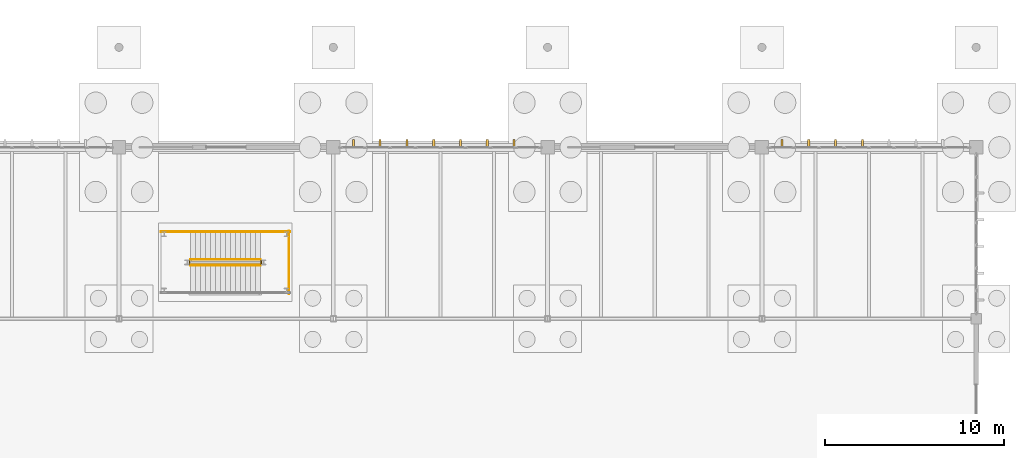
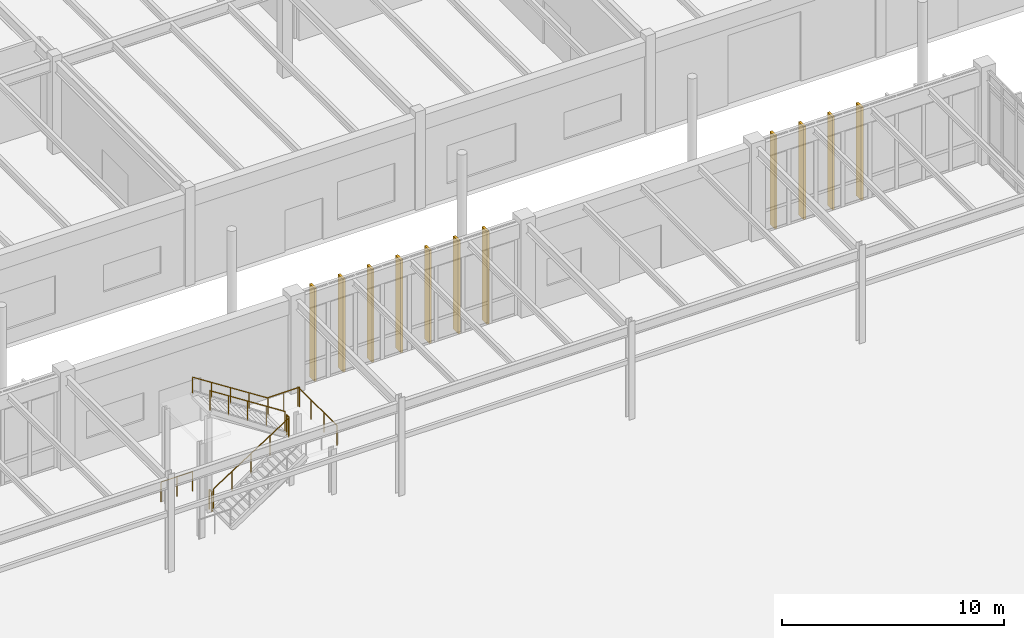
# One storey, part 178 of 188: 11 shading devices, 8 railings.
"""IFC4 building model written with IfcOpenShell, lengths in metres."""

from ifc_helpers import new_model, si_unit, direction, frame, origin, origin_2d, place, context, subcontext, project, spatial, rectangle, circle, extrude, material, type_object, element, save


model = new_model("IFC4")

# Units and contexts
model_context = context("Model", 3, precision=1e-05, world=origin(), true_north=direction((0.0, 1.0)))
body_context = subcontext(model_context, "Body", "Model", "MODEL_VIEW")
ifc_project = project(units=[si_unit("LENGTHUNIT", "METRE"), si_unit("AREAUNIT", "SQUARE_METRE"), si_unit("VOLUMEUNIT", "CUBIC_METRE"), si_unit("PLANEANGLEUNIT", "RADIAN"), si_unit("MASSUNIT", "GRAM", prefix="KILO")], contexts=[model_context])

# Site, building, storey
site_placement = place(None, origin())
site = spatial("IfcSite", under=ifc_project, at=site_placement, CompositionType="ELEMENT")
building_placement = place(site_placement, origin())
building = spatial("IfcBuilding", under=site, at=building_placement, Name="Pandanus Reach Market Hall", CompositionType="ELEMENT")
storey_placement = place(building_placement, origin())
storey = spatial("IfcBuildingStorey", under=building, at=storey_placement, Name="L00", CompositionType="ELEMENT", Elevation=0.0)

# Shading devices
ifc_material_1 = material(Name="Precast concrete S50 (50 MPa)", Category="concrete")
shading_device_type = type_object("IfcShadingDeviceType", Name="FN-S50-450", PredefinedType="JALOUSIE", material=ifc_material_1)
for number, where, z_axis, x_axis, name in (
    (1, (97.125, 86.6201171875, -0.010009765625), (0.0, 0.0, 1.0), (0.0, 1.0, 0.0), "Precast brise-soleil fin 36"),
    (2, (98.625, 86.6201171875, -0.010009765625), (0.0, 0.0, 1.0), (0.0, 1.0, 0.0), "Precast brise-soleil fin 37"),
    (3, (100.125, 86.6201171875, -0.010009765625), (0.0, 0.0, 1.0), (0.0, 1.0, 0.0), "Precast brise-soleil fin 38"),
    (4, (101.625, 86.6201171875, -0.010009765625), (0.0, 0.0, 1.0), (0.0, 1.0, 0.0), "Precast brise-soleil fin 39"),
    (5, (103.125, 86.6201171875, -0.010009765625), (0.0, 0.0, 1.0), (0.0, 1.0, 0.0), "Precast brise-soleil fin 40"),
    (6, (104.625, 86.6201171875, -0.010009765625), (0.0, 0.0, 1.0), (0.0, 1.0, 0.0), "Precast brise-soleil fin 41"),
    (7, (106.125, 86.6201171875, -0.010009765625), (0.0, 0.0, 1.0), (0.0, 1.0, 0.0), "Precast brise-soleil fin 42"),
    (8, (121.125, 86.6201171875, -0.010009765625), (0.0, 0.0, 1.0), (0.0, 1.0, 0.0), "Precast brise-soleil fin 57"),
    (9, (122.625, 86.6201171875, -0.010009765625), (0.0, 0.0, 1.0), (0.0, 1.0, 0.0), "Precast brise-soleil fin 58"),
    (10, (124.125, 86.6201171875, -0.010009765625), (0.0, 0.0, 1.0), (0.0, 1.0, 0.0), "Precast brise-soleil fin 59"),
    (11, (125.625, 86.6201171875, -0.010009765625), (0.0, 0.0, 1.0), (0.0, 1.0, 0.0), "Precast brise-soleil fin 60"),
):
    element("IfcShadingDevice", number, at=place(storey_placement, frame(where, z_axis=z_axis, x_axis=x_axis)), inside=storey, type_object=shading_device_type, Name=name, PredefinedType="JALOUSIE", context=body_context, shape_type="SweptSolid", body=[
        extrude(rectangle(XDim=0.449951171875, YDim=0.1201171875, at=origin_2d()), origin(), (0.0, 0.0, 1.0), 5.1201171875),
    ])

# Railings
ifc_material_2 = material(Name="Galvanised steel Grade 350 (350 MPa)", Category="steel")
railing_type_1 = type_object("IfcRailingType", Name="GR-INT-110", PredefinedType="GUARDRAIL", material=ifc_material_2)
railing_1_placement = place(storey_placement, frame((88.0, 79.800048828125, 0.179931640625)))
element("IfcRailing", 12, at=railing_1_placement, inside=storey, type_object=railing_type_1, Name="Stair guard ST-09 L00.147", PredefinedType="GUARDRAIL", context=body_context, shape_type="SweptSolid", body=[
    extrude(circle(Radius=0.02392578125, at=origin_2d()), frame((0.0, 0.0, 1.076171875), z_axis=(0.841171666519, 0.0, 0.540768182723), x_axis=(0.0, 1.0, 0.0)), (0.0, 0.0, 1.0), 4.66015625),
    extrude(circle(Radius=0.02099609375, at=origin_2d()), origin(), (0.0, 0.0, 1.0), 1.052001953125),
    extrude(circle(Radius=0.02099609375, at=origin_2d()), frame((0.97998046875, 0.0, 0.6298828125)), (0.0, 0.0, 1.0), 1.052001953125),
    extrude(circle(Radius=0.02099609375, at=origin_2d()), frame((1.9599609375, 0.0, 1.260009765625)), (0.0, 0.0, 1.0), 1.052001953125),
    extrude(circle(Radius=0.02099609375, at=origin_2d()), frame((2.93994140625, 0.0, 1.89013671875)), (0.0, 0.0, 1.0), 1.052001953125),
    extrude(circle(Radius=0.02099609375, at=origin_2d()), frame((3.919921875, 0.0, 2.52001953125)), (0.0, 0.0, 1.0), 1.052001953125),
])
railing_2_placement = place(storey_placement, frame((91.969970703125, 79.85009765625, 2.699951171875)))
element("IfcRailing", 13, at=railing_2_placement, inside=storey, type_object=railing_type_1, Name="Stair guard ST-09 L00.148", PredefinedType="GUARDRAIL", context=body_context, shape_type="SweptSolid", body=[
    extrude(circle(Radius=0.02392578125, at=origin_2d()), frame((0.0, 0.0, 1.076171875), z_axis=(0.0, 1.0, 0.0), x_axis=(-1.0, 0.0, 0.0)), (0.0, 0.0, 1.0), 0.219970703125),
    extrude(circle(Radius=0.02099609375, at=origin_2d()), origin(), (0.0, 0.0, 1.0), 1.052001953125),
    extrude(circle(Radius=0.02099609375, at=origin_2d()), frame((0.0, 0.219970703125, 0.0)), (0.0, 0.0, 1.0), 1.052001953125),
])
railing_3_placement = place(storey_placement, frame((91.919921875, 81.669921875, 2.699951171875)))
element("IfcRailing", 14, at=railing_3_placement, inside=storey, type_object=railing_type_1, Name="Stair guard ST-09 L00.150", PredefinedType="GUARDRAIL", context=body_context, shape_type="SweptSolid", body=[
    extrude(circle(Radius=0.02392578125, at=origin_2d()), frame((0.0, 0.0, 1.076171875), z_axis=(1.0, 0.0, 0.0), x_axis=(0.0, 1.0, 0.0)), (0.0, 0.0, 1.0), 1.650146484375),
    extrude(circle(Radius=0.02099609375, at=origin_2d()), origin(), (0.0, 0.0, 1.0), 1.052001953125),
    extrude(circle(Radius=0.02099609375, at=origin_2d()), frame((0.8251953125, 0.0, 0.0)), (0.0, 0.0, 1.0), 1.052001953125),
    extrude(circle(Radius=0.02099609375, at=origin_2d()), frame((1.650146484375, 0.0, 0.0)), (0.0, 0.0, 1.0), 1.052001953125),
])
railing_4_placement = place(storey_placement, frame((93.52001953125, 78.199951171875, 2.699951171875)))
element("IfcRailing", 15, at=railing_4_placement, inside=storey, type_object=railing_type_1, Name="Stair guard ST-09 L00.151", PredefinedType="GUARDRAIL", context=body_context, shape_type="SweptSolid", body=[
    extrude(circle(Radius=0.02392578125, at=origin_2d()), frame((0.0, 0.0, 1.076171875), z_axis=(0.0, 1.0, 0.0), x_axis=(-1.0, 0.0, 0.0)), (0.0, 0.0, 1.0), 3.52001953125),
    extrude(circle(Radius=0.02099609375, at=origin_2d()), origin(), (0.0, 0.0, 1.0), 1.052001953125),
    extrude(circle(Radius=0.02099609375, at=origin_2d()), frame((0.0, 1.17333984375, 0.0)), (0.0, 0.0, 1.0), 1.052001953125),
    extrude(circle(Radius=0.02099609375, at=origin_2d()), frame((0.0, 2.3466796875, 0.0)), (0.0, 0.0, 1.0), 1.052001953125),
    extrude(circle(Radius=0.02099609375, at=origin_2d()), frame((0.0, 3.52001953125, 0.0)), (0.0, 0.0, 1.0), 1.052001953125),
])
railing_5_placement = place(storey_placement, frame((91.919921875, 80.1201171875, 2.8798828125)))
element("IfcRailing", 16, at=railing_5_placement, inside=storey, type_object=railing_type_1, Name="Stair guard ST-09 L00.152", PredefinedType="GUARDRAIL", context=body_context, shape_type="SweptSolid", body=[
    extrude(circle(Radius=0.02392578125, at=origin_2d()), frame((0.0, 0.0, 1.076171875), z_axis=(-0.841171666519, 0.0, 0.540768182723), x_axis=(0.0, -1.0, 0.0)), (0.0, 0.0, 1.0), 4.66015625),
    extrude(circle(Radius=0.02099609375, at=origin_2d()), origin(), (0.0, 0.0, 1.0), 1.052001953125),
    extrude(circle(Radius=0.02099609375, at=origin_2d()), frame((-0.97998046875, 0.0, 0.6298828125)), (0.0, 0.0, 1.0), 1.052001953125),
    extrude(circle(Radius=0.02099609375, at=origin_2d()), frame((-1.9599609375, 0.0, 1.260009765625)), (0.0, 0.0, 1.0), 1.052001953125),
    extrude(circle(Radius=0.02099609375, at=origin_2d()), frame((-2.93994140625, 0.0, 1.89013671875)), (0.0, 0.0, 1.0), 1.052001953125),
    extrude(circle(Radius=0.02099609375, at=origin_2d()), frame((-3.919921875, 0.0, 2.52001953125)), (0.0, 0.0, 1.0), 1.052001953125),
])
railing_6_placement = place(storey_placement, frame((87.949951171875, 79.85009765625, 0.0)))
element("IfcRailing", 17, at=railing_6_placement, inside=storey, type_object=railing_type_1, Name="Stair guard ST-09 L00.153", PredefinedType="GUARDRAIL", context=body_context, shape_type="SweptSolid", body=[
    extrude(circle(Radius=0.02392578125, at=origin_2d()), frame((0.0, 0.0, 1.076171875), z_axis=(0.0, 1.0, 0.0), x_axis=(-1.0, 0.0, 0.0)), (0.0, 0.0, 1.0), 0.219970703125),
    extrude(circle(Radius=0.02099609375, at=origin_2d()), origin(), (0.0, 0.0, 1.0), 1.052001953125),
    extrude(circle(Radius=0.02099609375, at=origin_2d()), frame((0.0, 0.219970703125, 0.0)), (0.0, 0.0, 1.0), 1.052001953125),
])
railing_7_placement = place(storey_placement, frame((86.35009765625, 81.669921875, 0.0)))
element("IfcRailing", 18, at=railing_7_placement, inside=storey, type_object=railing_type_1, Name="Stair guard ST-09 L00.155", PredefinedType="GUARDRAIL", context=body_context, shape_type="SweptSolid", body=[
    extrude(circle(Radius=0.02392578125, at=origin_2d()), frame((0.0, 0.0, 1.076171875), z_axis=(1.0, 0.0, 0.0), x_axis=(0.0, 1.0, 0.0)), (0.0, 0.0, 1.0), 1.64990234375),
    extrude(circle(Radius=0.02099609375, at=origin_2d()), origin(), (0.0, 0.0, 1.0), 1.052001953125),
    extrude(circle(Radius=0.02099609375, at=origin_2d()), frame((0.824951171875, 0.0, 0.0)), (0.0, 0.0, 1.0), 1.052001953125),
    extrude(circle(Radius=0.02099609375, at=origin_2d()), frame((1.64990234375, 0.0, 0.0)), (0.0, 0.0, 1.0), 1.052001953125),
])
ifc_material_3 = material(Name="Brushed stainless steel", Category="steel")
railing_type_2 = type_object("IfcRailingType", Name="HR-WAL-090", PredefinedType="HANDRAIL", material=ifc_material_3)
railing_8_placement = place(storey_placement, frame((91.919921875, 81.669921875, 2.8798828125)))
element("IfcRailing", 19, at=railing_8_placement, inside=storey, type_object=railing_type_2, Name="Stair handrail ST-09 L00.157", PredefinedType="HANDRAIL", context=body_context, shape_type="SweptSolid", body=[
    extrude(circle(Radius=0.02392578125, at=origin_2d()), frame((0.0, 0.0, 0.8759765625), z_axis=(-0.841171666519, 0.0, 0.540768182723), x_axis=(0.0, -1.0, 0.0)), (0.0, 0.0, 1.0), 4.66015625),
    extrude(circle(Radius=0.02099609375, at=origin_2d()), origin(), (0.0, 0.0, 1.0), 0.851806640625),
    extrude(circle(Radius=0.02099609375, at=origin_2d()), frame((-0.97998046875, 0.0, 0.6298828125)), (0.0, 0.0, 1.0), 0.851806640625),
    extrude(circle(Radius=0.02099609375, at=origin_2d()), frame((-1.9599609375, 0.0, 1.260009765625)), (0.0, 0.0, 1.0), 0.851806640625),
    extrude(circle(Radius=0.02099609375, at=origin_2d()), frame((-2.93994140625, 0.0, 1.89013671875)), (0.0, 0.0, 1.0), 0.851806640625),
    extrude(circle(Radius=0.02099609375, at=origin_2d()), frame((-3.919921875, 0.0, 2.52001953125)), (0.0, 0.0, 1.0), 0.851806640625),
])

save(model, "model.ifc")
